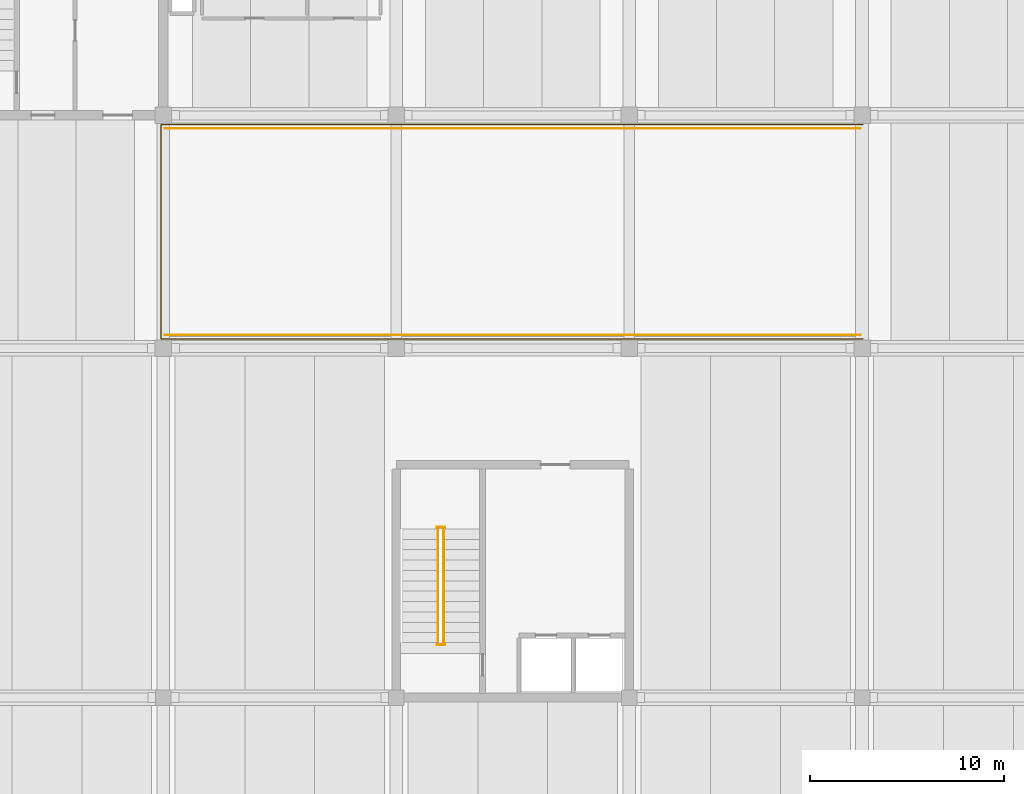
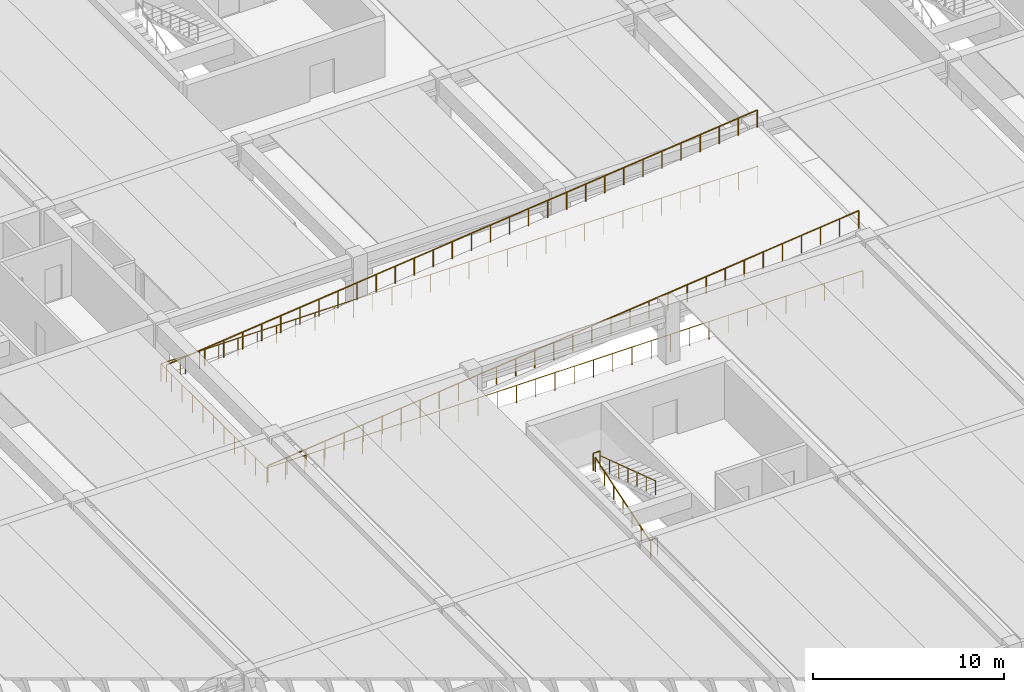
# One storey, part 14 of 16: 7 railings.
"""IFC4 building model written with IfcOpenShell, lengths in metres."""

from ifc_helpers import new_model, si_unit, direction, frame, origin, origin_2d, place, context, subcontext, project, spatial, circle, extrude, material, layer, layer_set, type_object, element, save


model = new_model("IFC4")

# Units and contexts
model_context = context("Model", 3, precision=1e-05, world=origin(), true_north=direction((0.0, 1.0)))
body_context = subcontext(model_context, "Body", "Model", "MODEL_VIEW")
ifc_project = project(units=[si_unit("LENGTHUNIT", "METRE"), si_unit("AREAUNIT", "SQUARE_METRE"), si_unit("VOLUMEUNIT", "CUBIC_METRE"), si_unit("PLANEANGLEUNIT", "RADIAN"), si_unit("MASSUNIT", "GRAM", prefix="KILO")], contexts=[model_context])

# Site, building, storey
site_placement = place(None, origin())
site = spatial("IfcSite", under=ifc_project, at=site_placement, CompositionType="ELEMENT")
building_placement = place(site_placement, origin())
building = spatial("IfcBuilding", under=site, at=building_placement, Name="Girod Span Mobility Hub", CompositionType="ELEMENT")
storey_placement = place(building_placement, frame((0.0, 0.0, 21.0)))
storey = spatial("IfcBuildingStorey", under=building, at=storey_placement, Name="L05", CompositionType="ELEMENT", Elevation=21.0)

# Railings
ifc_material_1 = material(Name="Painted Galvanised Steel", Category="steel")
ifc_layer_1 = layer(ifc_material_1, 0.06494140625)
ifc_layer_set_1 = layer_set([ifc_layer_1], Name="Painted Galvanised Steel")
railing_type_1 = type_object("IfcRailingType", Name="RL-GRD-1120", PredefinedType="GUARDRAIL", material=ifc_layer_set_1)
railing_1_placement = place(storey_placement, frame((60.10009765625, 45.679931640625, 0.0)))
element("IfcRailing", 1, at=railing_1_placement, inside=storey, type_object=railing_type_1, Name="Vehicular Ramp Guardrail L05-S", PredefinedType="GUARDRAIL", context=body_context, shape_type="SweptSolid", body=[
    extrude(circle(Radius=0.02392578125, at=origin_2d()), frame((0.0, 0.0, 1.09619140625), z_axis=(0.994413550329, 0.0, 0.105554208454), x_axis=(0.0, 1.0, 0.0)), (0.0, 0.0, 1.0), 36.0009765625),
    extrude(circle(Radius=0.02099609375, at=origin_2d()), origin(), (0.0, 0.0, 1.0), 1.072021484375),
    extrude(circle(Radius=0.02099609375, at=origin_2d()), frame((1.15478515625, 0.0, 0.12255859375)), (0.0, 0.0, 1.0), 1.072021484375),
    extrude(circle(Radius=0.02099609375, at=origin_2d()), frame((2.3095703125, 0.0, 0.2451171875)), (0.0, 0.0, 1.0), 1.072021484375),
    extrude(circle(Radius=0.02099609375, at=origin_2d()), frame((3.464599609375, 0.0, 0.36767578125)), (0.0, 0.0, 1.0), 1.072021484375),
    extrude(circle(Radius=0.02099609375, at=origin_2d()), frame((4.619384765625, 0.0, 0.490234375)), (0.0, 0.0, 1.0), 1.072021484375),
    extrude(circle(Radius=0.02099609375, at=origin_2d()), frame((5.774169921875, 0.0, 0.61279296875)), (0.0, 0.0, 1.0), 1.072021484375),
    extrude(circle(Radius=0.02099609375, at=origin_2d()), frame((6.928955078125, 0.0, 0.735595703125)), (0.0, 0.0, 1.0), 1.072021484375),
    extrude(circle(Radius=0.02099609375, at=origin_2d()), frame((8.083740234375, 0.0, 0.858154296875)), (0.0, 0.0, 1.0), 1.072021484375),
    extrude(circle(Radius=0.02099609375, at=origin_2d()), frame((9.23876953125, 0.0, 0.980712890625)), (0.0, 0.0, 1.0), 1.072021484375),
    extrude(circle(Radius=0.02099609375, at=origin_2d()), frame((10.3935546875, 0.0, 1.103271484375)), (0.0, 0.0, 1.0), 1.072021484375),
    extrude(circle(Radius=0.02099609375, at=origin_2d()), frame((11.54833984375, 0.0, 1.225830078125)), (0.0, 0.0, 1.0), 1.072021484375),
    extrude(circle(Radius=0.02099609375, at=origin_2d()), frame((12.703125, 0.0, 1.348388671875)), (0.0, 0.0, 1.0), 1.072021484375),
    extrude(circle(Radius=0.02099609375, at=origin_2d()), frame((13.85791015625, 0.0, 1.470947265625)), (0.0, 0.0, 1.0), 1.072021484375),
    extrude(circle(Radius=0.02099609375, at=origin_2d()), frame((15.012939453125, 0.0, 1.593505859375)), (0.0, 0.0, 1.0), 1.072021484375),
    extrude(circle(Radius=0.02099609375, at=origin_2d()), frame((16.167724609375, 0.0, 1.716064453125)), (0.0, 0.0, 1.0), 1.072021484375),
    extrude(circle(Radius=0.02099609375, at=origin_2d()), frame((17.322509765625, 0.0, 1.838623046875)), (0.0, 0.0, 1.0), 1.072021484375),
    extrude(circle(Radius=0.02099609375, at=origin_2d()), frame((18.477294921875, 0.0, 1.96142578125)), (0.0, 0.0, 1.0), 1.072021484375),
    extrude(circle(Radius=0.02099609375, at=origin_2d()), frame((19.632080078125, 0.0, 2.083984375)), (0.0, 0.0, 1.0), 1.072021484375),
    extrude(circle(Radius=0.02099609375, at=origin_2d()), frame((20.786865234375, 0.0, 2.20654296875)), (0.0, 0.0, 1.0), 1.072021484375),
    extrude(circle(Radius=0.02099609375, at=origin_2d()), frame((21.94189453125, 0.0, 2.3291015625)), (0.0, 0.0, 1.0), 1.072021484375),
    extrude(circle(Radius=0.02099609375, at=origin_2d()), frame((23.0966796875, 0.0, 2.45166015625)), (0.0, 0.0, 1.0), 1.072021484375),
    extrude(circle(Radius=0.02099609375, at=origin_2d()), frame((24.25146484375, 0.0, 2.57421875)), (0.0, 0.0, 1.0), 1.072021484375),
    extrude(circle(Radius=0.02099609375, at=origin_2d()), frame((25.40625, 0.0, 2.69677734375)), (0.0, 0.0, 1.0), 1.072021484375),
    extrude(circle(Radius=0.02099609375, at=origin_2d()), frame((26.56103515625, 0.0, 2.8193359375)), (0.0, 0.0, 1.0), 1.072021484375),
    extrude(circle(Radius=0.02099609375, at=origin_2d()), frame((27.716064453125, 0.0, 2.94189453125)), (0.0, 0.0, 1.0), 1.072021484375),
    extrude(circle(Radius=0.02099609375, at=origin_2d()), frame((28.870849609375, 0.0, 3.064453125)), (0.0, 0.0, 1.0), 1.072021484375),
    extrude(circle(Radius=0.02099609375, at=origin_2d()), frame((30.025634765625, 0.0, 3.187255859375)), (0.0, 0.0, 1.0), 1.072021484375),
    extrude(circle(Radius=0.02099609375, at=origin_2d()), frame((31.180419921875, 0.0, 3.309814453125)), (0.0, 0.0, 1.0), 1.072021484375),
    extrude(circle(Radius=0.02099609375, at=origin_2d()), frame((32.335205078125, 0.0, 3.432373046875)), (0.0, 0.0, 1.0), 1.072021484375),
    extrude(circle(Radius=0.02099609375, at=origin_2d()), frame((33.490234375, 0.0, 3.554931640625)), (0.0, 0.0, 1.0), 1.072021484375),
    extrude(circle(Radius=0.02099609375, at=origin_2d()), frame((34.64501953125, 0.0, 3.677490234375)), (0.0, 0.0, 1.0), 1.072021484375),
    extrude(circle(Radius=0.02099609375, at=origin_2d()), frame((35.7998046875, 0.0, 3.800048828125)), (0.0, 0.0, 1.0), 1.072021484375),
])
railing_2_placement = place(storey_placement, frame((60.10009765625, 56.320068359375, 0.0)))
element("IfcRailing", 2, at=railing_2_placement, inside=storey, type_object=railing_type_1, Name="Vehicular Ramp Guardrail L05-N", PredefinedType="GUARDRAIL", context=body_context, shape_type="SweptSolid", body=[
    extrude(circle(Radius=0.02392578125, at=origin_2d()), frame((0.0, 0.0, 1.09619140625), z_axis=(0.994413550329, 0.0, 0.105554208454), x_axis=(0.0, 1.0, 0.0)), (0.0, 0.0, 1.0), 36.0009765625),
    extrude(circle(Radius=0.02099609375, at=origin_2d()), origin(), (0.0, 0.0, 1.0), 1.072021484375),
    extrude(circle(Radius=0.02099609375, at=origin_2d()), frame((1.15478515625, 0.0, 0.12255859375)), (0.0, 0.0, 1.0), 1.072021484375),
    extrude(circle(Radius=0.02099609375, at=origin_2d()), frame((2.3095703125, 0.0, 0.2451171875)), (0.0, 0.0, 1.0), 1.072021484375),
    extrude(circle(Radius=0.02099609375, at=origin_2d()), frame((3.464599609375, 0.0, 0.36767578125)), (0.0, 0.0, 1.0), 1.072021484375),
    extrude(circle(Radius=0.02099609375, at=origin_2d()), frame((4.619384765625, 0.0, 0.490234375)), (0.0, 0.0, 1.0), 1.072021484375),
    extrude(circle(Radius=0.02099609375, at=origin_2d()), frame((5.774169921875, 0.0, 0.61279296875)), (0.0, 0.0, 1.0), 1.072021484375),
    extrude(circle(Radius=0.02099609375, at=origin_2d()), frame((6.928955078125, 0.0, 0.735595703125)), (0.0, 0.0, 1.0), 1.072021484375),
    extrude(circle(Radius=0.02099609375, at=origin_2d()), frame((8.083740234375, 0.0, 0.858154296875)), (0.0, 0.0, 1.0), 1.072021484375),
    extrude(circle(Radius=0.02099609375, at=origin_2d()), frame((9.23876953125, 0.0, 0.980712890625)), (0.0, 0.0, 1.0), 1.072021484375),
    extrude(circle(Radius=0.02099609375, at=origin_2d()), frame((10.3935546875, 0.0, 1.103271484375)), (0.0, 0.0, 1.0), 1.072021484375),
    extrude(circle(Radius=0.02099609375, at=origin_2d()), frame((11.54833984375, 0.0, 1.225830078125)), (0.0, 0.0, 1.0), 1.072021484375),
    extrude(circle(Radius=0.02099609375, at=origin_2d()), frame((12.703125, 0.0, 1.348388671875)), (0.0, 0.0, 1.0), 1.072021484375),
    extrude(circle(Radius=0.02099609375, at=origin_2d()), frame((13.85791015625, 0.0, 1.470947265625)), (0.0, 0.0, 1.0), 1.072021484375),
    extrude(circle(Radius=0.02099609375, at=origin_2d()), frame((15.012939453125, 0.0, 1.593505859375)), (0.0, 0.0, 1.0), 1.072021484375),
    extrude(circle(Radius=0.02099609375, at=origin_2d()), frame((16.167724609375, 0.0, 1.716064453125)), (0.0, 0.0, 1.0), 1.072021484375),
    extrude(circle(Radius=0.02099609375, at=origin_2d()), frame((17.322509765625, 0.0, 1.838623046875)), (0.0, 0.0, 1.0), 1.072021484375),
    extrude(circle(Radius=0.02099609375, at=origin_2d()), frame((18.477294921875, 0.0, 1.96142578125)), (0.0, 0.0, 1.0), 1.072021484375),
    extrude(circle(Radius=0.02099609375, at=origin_2d()), frame((19.632080078125, 0.0, 2.083984375)), (0.0, 0.0, 1.0), 1.072021484375),
    extrude(circle(Radius=0.02099609375, at=origin_2d()), frame((20.786865234375, 0.0, 2.20654296875)), (0.0, 0.0, 1.0), 1.072021484375),
    extrude(circle(Radius=0.02099609375, at=origin_2d()), frame((21.94189453125, 0.0, 2.3291015625)), (0.0, 0.0, 1.0), 1.072021484375),
    extrude(circle(Radius=0.02099609375, at=origin_2d()), frame((23.0966796875, 0.0, 2.45166015625)), (0.0, 0.0, 1.0), 1.072021484375),
    extrude(circle(Radius=0.02099609375, at=origin_2d()), frame((24.25146484375, 0.0, 2.57421875)), (0.0, 0.0, 1.0), 1.072021484375),
    extrude(circle(Radius=0.02099609375, at=origin_2d()), frame((25.40625, 0.0, 2.69677734375)), (0.0, 0.0, 1.0), 1.072021484375),
    extrude(circle(Radius=0.02099609375, at=origin_2d()), frame((26.56103515625, 0.0, 2.8193359375)), (0.0, 0.0, 1.0), 1.072021484375),
    extrude(circle(Radius=0.02099609375, at=origin_2d()), frame((27.716064453125, 0.0, 2.94189453125)), (0.0, 0.0, 1.0), 1.072021484375),
    extrude(circle(Radius=0.02099609375, at=origin_2d()), frame((28.870849609375, 0.0, 3.064453125)), (0.0, 0.0, 1.0), 1.072021484375),
    extrude(circle(Radius=0.02099609375, at=origin_2d()), frame((30.025634765625, 0.0, 3.187255859375)), (0.0, 0.0, 1.0), 1.072021484375),
    extrude(circle(Radius=0.02099609375, at=origin_2d()), frame((31.180419921875, 0.0, 3.309814453125)), (0.0, 0.0, 1.0), 1.072021484375),
    extrude(circle(Radius=0.02099609375, at=origin_2d()), frame((32.335205078125, 0.0, 3.432373046875)), (0.0, 0.0, 1.0), 1.072021484375),
    extrude(circle(Radius=0.02099609375, at=origin_2d()), frame((33.490234375, 0.0, 3.554931640625)), (0.0, 0.0, 1.0), 1.072021484375),
    extrude(circle(Radius=0.02099609375, at=origin_2d()), frame((34.64501953125, 0.0, 3.677490234375)), (0.0, 0.0, 1.0), 1.072021484375),
    extrude(circle(Radius=0.02099609375, at=origin_2d()), frame((35.7998046875, 0.0, 3.800048828125)), (0.0, 0.0, 1.0), 1.072021484375),
])
for number, where, name in (
    (3, (74.10009765625, 35.77001953125, 1.89990234375), "Stair ST-3 Half-Landing Well Guard L05"),
    (4, (74.10009765625, 29.72998046875, 0.0), "Stair ST-3 Landing Well Guard L05"),
):
    element("IfcRailing", number, at=place(storey_placement, frame(where)), inside=storey, type_object=railing_type_1, Name=name, PredefinedType="GUARDRAIL", context=body_context, shape_type="SweptSolid", body=[
        extrude(circle(Radius=0.02392578125, at=origin_2d()), frame((0.0, 0.0, 1.09619140625), z_axis=(1.0, 0.0, 0.0), x_axis=(0.0, 1.0, 0.0)), (0.0, 0.0, 1.0), 0.39990234375),
        extrude(circle(Radius=0.02099609375, at=origin_2d()), origin(), (0.0, 0.0, 1.0), 1.072021484375),
        extrude(circle(Radius=0.02099609375, at=origin_2d()), frame((0.39990234375, 0.0, 0.0)), (0.0, 0.0, 1.0), 1.072021484375),
    ])
ifc_material_2 = material(Name="Painted Galvanised Steel", Category="steel")
ifc_layer_2 = layer(ifc_material_2, 0.074951171875)
ifc_layer_set_2 = layer_set([ifc_layer_2], Name="Painted Galvanised Steel")
railing_type_2 = type_object("IfcRailingType", Name="RL-GRD-1150", PredefinedType="GUARDRAIL", material=ifc_layer_set_2)
railing_3_placement = place(storey_placement, frame((96.050048828125, 45.47998046875, 0.0)))
element("IfcRailing", 5, at=railing_3_placement, inside=storey, type_object=railing_type_2, Name="Ramp Well Deck Guardrail L05", PredefinedType="GUARDRAIL", context=body_context, shape_type="SweptSolid", body=[
    extrude(circle(Radius=0.02392578125, at=origin_2d()), frame((0.0, 0.0, 1.1259765625), z_axis=(-1.0, 0.0, 0.0), x_axis=(0.0, -1.0, 0.0)), (0.0, 0.0, 1.0), 36.170166015625),
    extrude(circle(Radius=0.02392578125, at=origin_2d()), frame((-36.170166015625, 0.0, 1.1259765625), z_axis=(0.0, 1.0, 0.0), x_axis=(-1.0, 0.0, 0.0)), (0.0, 0.0, 1.0), 11.0400390625),
    extrude(circle(Radius=0.02392578125, at=origin_2d()), frame((-36.170166015625, 11.0400390625, 1.1259765625), z_axis=(1.0, 0.0, 0.0), x_axis=(0.0, 1.0, 0.0)), (0.0, 0.0, 1.0), 36.170166015625),
    extrude(circle(Radius=0.02099609375, at=origin_2d()), origin(), (0.0, 0.0, 1.0), 1.101806640625),
    extrude(circle(Radius=0.02099609375, at=origin_2d()), frame((-1.166748046875, 0.0, 0.0)), (0.0, 0.0, 1.0), 1.101806640625),
    extrude(circle(Radius=0.02099609375, at=origin_2d()), frame((-2.33349609375, 0.0, 0.0)), (0.0, 0.0, 1.0), 1.101806640625),
    extrude(circle(Radius=0.02099609375, at=origin_2d()), frame((-3.500244140625, 0.0, 0.0)), (0.0, 0.0, 1.0), 1.101806640625),
    extrude(circle(Radius=0.02099609375, at=origin_2d()), frame((-4.667236328125, 0.0, 0.0)), (0.0, 0.0, 1.0), 1.101806640625),
    extrude(circle(Radius=0.02099609375, at=origin_2d()), frame((-5.833984375, 0.0, 0.0)), (0.0, 0.0, 1.0), 1.101806640625),
    extrude(circle(Radius=0.02099609375, at=origin_2d()), frame((-7.000732421875, 0.0, 0.0)), (0.0, 0.0, 1.0), 1.101806640625),
    extrude(circle(Radius=0.02099609375, at=origin_2d()), frame((-8.16748046875, 0.0, 0.0)), (0.0, 0.0, 1.0), 1.101806640625),
    extrude(circle(Radius=0.02099609375, at=origin_2d()), frame((-9.334228515625, 0.0, 0.0)), (0.0, 0.0, 1.0), 1.101806640625),
    extrude(circle(Radius=0.02099609375, at=origin_2d()), frame((-10.5009765625, 0.0, 0.0)), (0.0, 0.0, 1.0), 1.101806640625),
    extrude(circle(Radius=0.02099609375, at=origin_2d()), frame((-11.667724609375, 0.0, 0.0)), (0.0, 0.0, 1.0), 1.101806640625),
    extrude(circle(Radius=0.02099609375, at=origin_2d()), frame((-12.83447265625, 0.0, 0.0)), (0.0, 0.0, 1.0), 1.101806640625),
    extrude(circle(Radius=0.02099609375, at=origin_2d()), frame((-14.00146484375, 0.0, 0.0)), (0.0, 0.0, 1.0), 1.101806640625),
    extrude(circle(Radius=0.02099609375, at=origin_2d()), frame((-15.168212890625, 0.0, 0.0)), (0.0, 0.0, 1.0), 1.101806640625),
    extrude(circle(Radius=0.02099609375, at=origin_2d()), frame((-16.3349609375, 0.0, 0.0)), (0.0, 0.0, 1.0), 1.101806640625),
    extrude(circle(Radius=0.02099609375, at=origin_2d()), frame((-17.501708984375, 0.0, 0.0)), (0.0, 0.0, 1.0), 1.101806640625),
    extrude(circle(Radius=0.02099609375, at=origin_2d()), frame((-18.66845703125, 0.0, 0.0)), (0.0, 0.0, 1.0), 1.101806640625),
    extrude(circle(Radius=0.02099609375, at=origin_2d()), frame((-19.835205078125, 0.0, 0.0)), (0.0, 0.0, 1.0), 1.101806640625),
    extrude(circle(Radius=0.02099609375, at=origin_2d()), frame((-21.001953125, 0.0, 0.0)), (0.0, 0.0, 1.0), 1.101806640625),
    extrude(circle(Radius=0.02099609375, at=origin_2d()), frame((-22.168701171875, 0.0, 0.0)), (0.0, 0.0, 1.0), 1.101806640625),
    extrude(circle(Radius=0.02099609375, at=origin_2d()), frame((-23.335693359375, 0.0, 0.0)), (0.0, 0.0, 1.0), 1.101806640625),
    extrude(circle(Radius=0.02099609375, at=origin_2d()), frame((-24.50244140625, 0.0, 0.0)), (0.0, 0.0, 1.0), 1.101806640625),
    extrude(circle(Radius=0.02099609375, at=origin_2d()), frame((-25.669189453125, 0.0, 0.0)), (0.0, 0.0, 1.0), 1.101806640625),
    extrude(circle(Radius=0.02099609375, at=origin_2d()), frame((-26.8359375, 0.0, 0.0)), (0.0, 0.0, 1.0), 1.101806640625),
    extrude(circle(Radius=0.02099609375, at=origin_2d()), frame((-28.002685546875, 0.0, 0.0)), (0.0, 0.0, 1.0), 1.101806640625),
    extrude(circle(Radius=0.02099609375, at=origin_2d()), frame((-29.16943359375, 0.0, 0.0)), (0.0, 0.0, 1.0), 1.101806640625),
    extrude(circle(Radius=0.02099609375, at=origin_2d()), frame((-30.336181640625, 0.0, 0.0)), (0.0, 0.0, 1.0), 1.101806640625),
    extrude(circle(Radius=0.02099609375, at=origin_2d()), frame((-31.5029296875, 0.0, 0.0)), (0.0, 0.0, 1.0), 1.101806640625),
    extrude(circle(Radius=0.02099609375, at=origin_2d()), frame((-32.669921875, 0.0, 0.0)), (0.0, 0.0, 1.0), 1.101806640625),
    extrude(circle(Radius=0.02099609375, at=origin_2d()), frame((-33.836669921875, 0.0, 0.0)), (0.0, 0.0, 1.0), 1.101806640625),
    extrude(circle(Radius=0.02099609375, at=origin_2d()), frame((-35.00341796875, 0.0, 0.0)), (0.0, 0.0, 1.0), 1.101806640625),
    extrude(circle(Radius=0.02099609375, at=origin_2d()), frame((-36.170166015625, 0.0, 0.0)), (0.0, 0.0, 1.0), 1.101806640625),
    extrude(circle(Radius=0.02099609375, at=origin_2d()), frame((-36.170166015625, 1.10400390625, 0.0)), (0.0, 0.0, 1.0), 1.101806640625),
    extrude(circle(Radius=0.02099609375, at=origin_2d()), frame((-36.170166015625, 2.2080078125, 0.0)), (0.0, 0.0, 1.0), 1.101806640625),
    extrude(circle(Radius=0.02099609375, at=origin_2d()), frame((-36.170166015625, 3.31201171875, 0.0)), (0.0, 0.0, 1.0), 1.101806640625),
    extrude(circle(Radius=0.02099609375, at=origin_2d()), frame((-36.170166015625, 4.416015625, 0.0)), (0.0, 0.0, 1.0), 1.101806640625),
    extrude(circle(Radius=0.02099609375, at=origin_2d()), frame((-36.170166015625, 5.52001953125, 0.0)), (0.0, 0.0, 1.0), 1.101806640625),
    extrude(circle(Radius=0.02099609375, at=origin_2d()), frame((-36.170166015625, 6.6240234375, 0.0)), (0.0, 0.0, 1.0), 1.101806640625),
    extrude(circle(Radius=0.02099609375, at=origin_2d()), frame((-36.170166015625, 7.72802734375, 0.0)), (0.0, 0.0, 1.0), 1.101806640625),
    extrude(circle(Radius=0.02099609375, at=origin_2d()), frame((-36.170166015625, 8.83203125, 0.0)), (0.0, 0.0, 1.0), 1.101806640625),
    extrude(circle(Radius=0.02099609375, at=origin_2d()), frame((-36.170166015625, 9.93603515625, 0.0)), (0.0, 0.0, 1.0), 1.101806640625),
    extrude(circle(Radius=0.02099609375, at=origin_2d()), frame((-36.170166015625, 11.0400390625, 0.0)), (0.0, 0.0, 1.0), 1.101806640625),
    extrude(circle(Radius=0.02099609375, at=origin_2d()), frame((-35.00341796875, 11.0400390625, 0.0)), (0.0, 0.0, 1.0), 1.101806640625),
    extrude(circle(Radius=0.02099609375, at=origin_2d()), frame((-33.836669921875, 11.0400390625, 0.0)), (0.0, 0.0, 1.0), 1.101806640625),
    extrude(circle(Radius=0.02099609375, at=origin_2d()), frame((-32.669921875, 11.0400390625, 0.0)), (0.0, 0.0, 1.0), 1.101806640625),
    extrude(circle(Radius=0.02099609375, at=origin_2d()), frame((-31.5029296875, 11.0400390625, 0.0)), (0.0, 0.0, 1.0), 1.101806640625),
    extrude(circle(Radius=0.02099609375, at=origin_2d()), frame((-30.336181640625, 11.0400390625, 0.0)), (0.0, 0.0, 1.0), 1.101806640625),
    extrude(circle(Radius=0.02099609375, at=origin_2d()), frame((-29.16943359375, 11.0400390625, 0.0)), (0.0, 0.0, 1.0), 1.101806640625),
    extrude(circle(Radius=0.02099609375, at=origin_2d()), frame((-28.002685546875, 11.0400390625, 0.0)), (0.0, 0.0, 1.0), 1.101806640625),
    extrude(circle(Radius=0.02099609375, at=origin_2d()), frame((-26.8359375, 11.0400390625, 0.0)), (0.0, 0.0, 1.0), 1.101806640625),
    extrude(circle(Radius=0.02099609375, at=origin_2d()), frame((-25.669189453125, 11.0400390625, 0.0)), (0.0, 0.0, 1.0), 1.101806640625),
    extrude(circle(Radius=0.02099609375, at=origin_2d()), frame((-24.50244140625, 11.0400390625, 0.0)), (0.0, 0.0, 1.0), 1.101806640625),
    extrude(circle(Radius=0.02099609375, at=origin_2d()), frame((-23.335693359375, 11.0400390625, 0.0)), (0.0, 0.0, 1.0), 1.101806640625),
    extrude(circle(Radius=0.02099609375, at=origin_2d()), frame((-22.168701171875, 11.0400390625, 0.0)), (0.0, 0.0, 1.0), 1.101806640625),
    extrude(circle(Radius=0.02099609375, at=origin_2d()), frame((-21.001953125, 11.0400390625, 0.0)), (0.0, 0.0, 1.0), 1.101806640625),
    extrude(circle(Radius=0.02099609375, at=origin_2d()), frame((-19.835205078125, 11.0400390625, 0.0)), (0.0, 0.0, 1.0), 1.101806640625),
    extrude(circle(Radius=0.02099609375, at=origin_2d()), frame((-18.66845703125, 11.0400390625, 0.0)), (0.0, 0.0, 1.0), 1.101806640625),
    extrude(circle(Radius=0.02099609375, at=origin_2d()), frame((-17.501708984375, 11.0400390625, 0.0)), (0.0, 0.0, 1.0), 1.101806640625),
    extrude(circle(Radius=0.02099609375, at=origin_2d()), frame((-16.3349609375, 11.0400390625, 0.0)), (0.0, 0.0, 1.0), 1.101806640625),
    extrude(circle(Radius=0.02099609375, at=origin_2d()), frame((-15.168212890625, 11.0400390625, 0.0)), (0.0, 0.0, 1.0), 1.101806640625),
    extrude(circle(Radius=0.02099609375, at=origin_2d()), frame((-14.00146484375, 11.0400390625, 0.0)), (0.0, 0.0, 1.0), 1.101806640625),
    extrude(circle(Radius=0.02099609375, at=origin_2d()), frame((-12.83447265625, 11.0400390625, 0.0)), (0.0, 0.0, 1.0), 1.101806640625),
    extrude(circle(Radius=0.02099609375, at=origin_2d()), frame((-11.667724609375, 11.0400390625, 0.0)), (0.0, 0.0, 1.0), 1.101806640625),
    extrude(circle(Radius=0.02099609375, at=origin_2d()), frame((-10.5009765625, 11.0400390625, 0.0)), (0.0, 0.0, 1.0), 1.101806640625),
    extrude(circle(Radius=0.02099609375, at=origin_2d()), frame((-9.334228515625, 11.0400390625, 0.0)), (0.0, 0.0, 1.0), 1.101806640625),
    extrude(circle(Radius=0.02099609375, at=origin_2d()), frame((-8.16748046875, 11.0400390625, 0.0)), (0.0, 0.0, 1.0), 1.101806640625),
    extrude(circle(Radius=0.02099609375, at=origin_2d()), frame((-7.000732421875, 11.0400390625, 0.0)), (0.0, 0.0, 1.0), 1.101806640625),
    extrude(circle(Radius=0.02099609375, at=origin_2d()), frame((-5.833984375, 11.0400390625, 0.0)), (0.0, 0.0, 1.0), 1.101806640625),
    extrude(circle(Radius=0.02099609375, at=origin_2d()), frame((-4.667236328125, 11.0400390625, 0.0)), (0.0, 0.0, 1.0), 1.101806640625),
    extrude(circle(Radius=0.02099609375, at=origin_2d()), frame((-3.500244140625, 11.0400390625, 0.0)), (0.0, 0.0, 1.0), 1.101806640625),
    extrude(circle(Radius=0.02099609375, at=origin_2d()), frame((-2.33349609375, 11.0400390625, 0.0)), (0.0, 0.0, 1.0), 1.101806640625),
    extrude(circle(Radius=0.02099609375, at=origin_2d()), frame((-1.166748046875, 11.0400390625, 0.0)), (0.0, 0.0, 1.0), 1.101806640625),
    extrude(circle(Radius=0.02099609375, at=origin_2d()), frame((0.0, 11.0400390625, 0.0)), (0.0, 0.0, 1.0), 1.101806640625),
])
ifc_material_3 = material(Name="Painted Galvanised Steel", Category="steel")
ifc_layer_3 = layer(ifc_material_3, 0.050048828125)
ifc_layer_set_3 = layer_set([ifc_layer_3], Name="Painted Galvanised Steel")
railing_type_3 = type_object("IfcRailingType", Name="RL-HR-920", PredefinedType="HANDRAIL", material=ifc_layer_set_3)
railing_4_placement = place(storey_placement, frame((74.14990234375, 29.860107421875, 0.0)))
element("IfcRailing", 6, at=railing_4_placement, inside=storey, type_object=railing_type_3, Name="Stair ST-3 Flight 1 Handrail L05", PredefinedType="HANDRAIL", context=body_context, shape_type="SweptSolid", body=[
    extrude(circle(Radius=0.02392578125, at=origin_2d()), frame((0.0, 0.0, 0.89599609375), z_axis=(0.0, 0.949991280403, 0.312276427477), x_axis=(-1.0, 0.0, 0.0)), (0.0, 0.0, 1.0), 6.083984375),
    extrude(circle(Radius=0.02099609375, at=origin_2d()), origin(), (0.0, 0.0, 1.0), 0.871826171875),
    extrude(circle(Radius=0.02099609375, at=origin_2d()), frame((0.0, 0.96337890625, 0.316650390625)), (0.0, 0.0, 1.0), 0.871826171875),
    extrude(circle(Radius=0.02099609375, at=origin_2d()), frame((0.0, 1.926513671875, 0.63330078125)), (0.0, 0.0, 1.0), 0.871826171875),
    extrude(circle(Radius=0.02099609375, at=origin_2d()), frame((0.0, 2.889892578125, 0.949951171875)), (0.0, 0.0, 1.0), 0.871826171875),
    extrude(circle(Radius=0.02099609375, at=origin_2d()), frame((0.0, 3.853271484375, 1.2666015625)), (0.0, 0.0, 1.0), 0.871826171875),
    extrude(circle(Radius=0.02099609375, at=origin_2d()), frame((0.0, 4.81640625, 1.583251953125)), (0.0, 0.0, 1.0), 0.871826171875),
    extrude(circle(Radius=0.02099609375, at=origin_2d()), frame((0.0, 5.77978515625, 1.89990234375)), (0.0, 0.0, 1.0), 0.871826171875),
])
railing_5_placement = place(storey_placement, frame((74.449951171875, 35.639892578125, 1.89990234375)))
element("IfcRailing", 7, at=railing_5_placement, inside=storey, type_object=railing_type_3, Name="Stair ST-3 Flight 2 Handrail L05", PredefinedType="HANDRAIL", context=body_context, shape_type="SweptSolid", body=[
    extrude(circle(Radius=0.02392578125, at=origin_2d()), frame((0.0, 0.0, 0.89599609375), z_axis=(0.0, -0.949979375482, 0.31231264169), x_axis=(1.0, 0.0, 0.0)), (0.0, 0.0, 1.0), 6.084228515625),
    extrude(circle(Radius=0.02099609375, at=origin_2d()), origin(), (0.0, 0.0, 1.0), 0.871826171875),
    extrude(circle(Radius=0.02099609375, at=origin_2d()), frame((0.0, -0.96337890625, 0.316650390625)), (0.0, 0.0, 1.0), 0.871826171875),
    extrude(circle(Radius=0.02099609375, at=origin_2d()), frame((0.0, -1.926513671875, 0.63330078125)), (0.0, 0.0, 1.0), 0.871826171875),
    extrude(circle(Radius=0.02099609375, at=origin_2d()), frame((0.0, -2.889892578125, 0.9501953125)), (0.0, 0.0, 1.0), 0.871826171875),
    extrude(circle(Radius=0.02099609375, at=origin_2d()), frame((0.0, -3.853271484375, 1.266845703125)), (0.0, 0.0, 1.0), 0.871826171875),
    extrude(circle(Radius=0.02099609375, at=origin_2d()), frame((0.0, -4.81640625, 1.58349609375)), (0.0, 0.0, 1.0), 0.871826171875),
    extrude(circle(Radius=0.02099609375, at=origin_2d()), frame((0.0, -5.77978515625, 1.900146484375)), (0.0, 0.0, 1.0), 0.871826171875),
])

save(model, "model.ifc")
